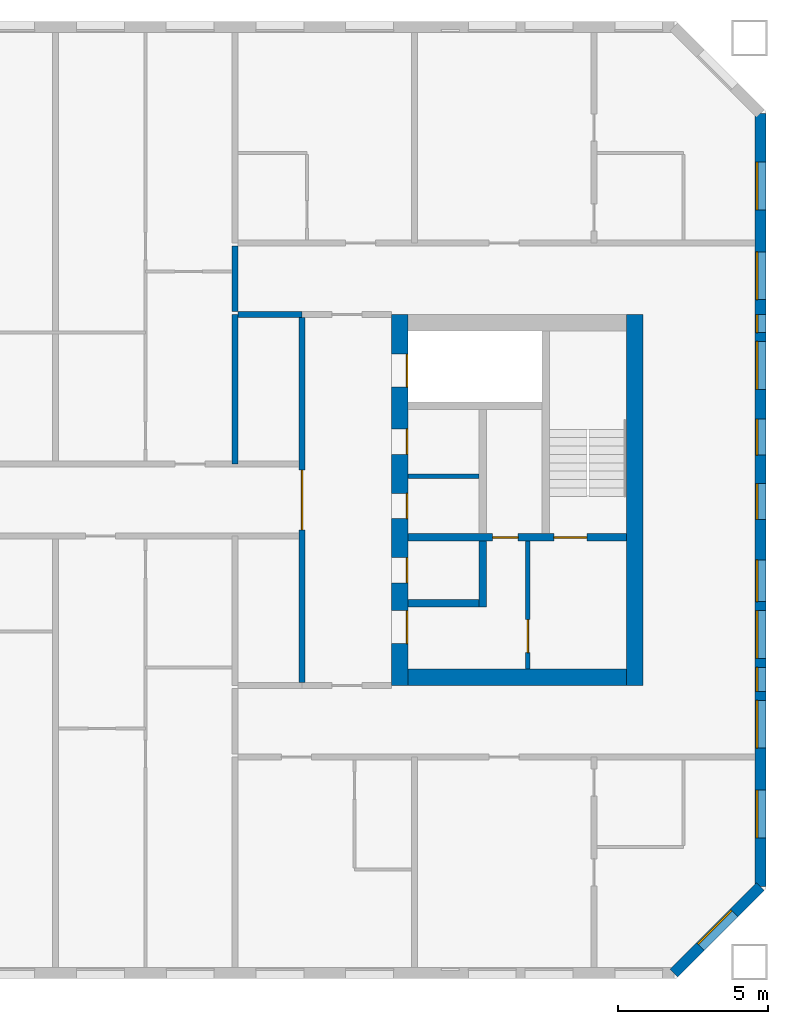
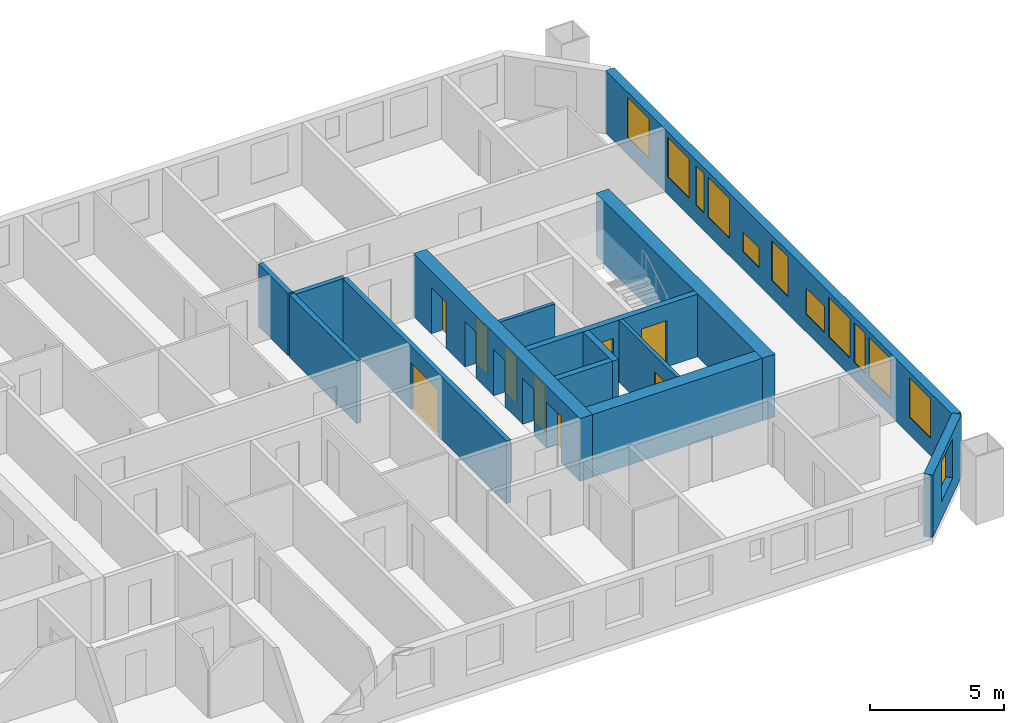
# One storey, part 13 of 16: 14 walls, 12 windows, 9 doors, 21 openings.
"""IFC4 building model written with IfcOpenShell, lengths in metres."""

from ifc_helpers import new_model, si_unit, direction, frame, frame_2d, origin, place, context, subcontext, project, spatial, rectangle, extrude, material, layer, layer_set, type_object, element, fill, save


model = new_model("IFC4")

# Units and contexts
model_context = context("Model", 3, precision=1e-05, world=origin(), true_north=direction((0.0, 1.0)))
body_context = subcontext(model_context, "Body", "Model", "MODEL_VIEW")
ifc_project = project(units=[si_unit("LENGTHUNIT", "METRE"), si_unit("AREAUNIT", "SQUARE_METRE"), si_unit("VOLUMEUNIT", "CUBIC_METRE"), si_unit("PLANEANGLEUNIT", "RADIAN"), si_unit("MASSUNIT", "GRAM", prefix="KILO")], contexts=[model_context])

# Site, building, storey
site_placement = place(None, origin())
site = spatial("IfcSite", under=ifc_project, at=site_placement, CompositionType="ELEMENT")
building_placement = place(site_placement, origin())
building = spatial("IfcBuilding", under=site, at=building_placement, Name="Tuart Gate Housing", CompositionType="ELEMENT")
storey_placement = place(building_placement, frame((0.0, 0.0, 129.89990234375)))
storey = spatial("IfcBuildingStorey", under=building, at=storey_placement, Name="L36", CompositionType="ELEMENT", Elevation=129.89990234375)

# Wall, opening, window
ifc_material_1 = material(Name="Brick", Category="masonry")
ifc_layer_1 = layer(ifc_material_1, 0.360107421875)
ifc_layer_set_1 = layer_set([ifc_layer_1], Name="Brick pier and spandrel wall 360")
wall_type_1 = type_object("IfcWallType", Name="Brick pier and spandrel wall 360", PredefinedType="STANDARD", material=ifc_layer_set_1)
wall_1_placement = place(storey_placement, frame((169.67529296875, 54.179931640625, 0.0), z_axis=(0.0, 0.0, 1.0), x_axis=(0.707106781187, 0.707106781187, 0.0)))
wall_1 = element("IfcWall", 1, at=wall_1_placement, inside=storey, type_object=wall_type_1, Name="External wall B-SE L36", PredefinedType="STANDARD", context=body_context, shape_type="SweptSolid", body=[
    extrude(rectangle(XDim=4.09375, YDim=0.360107421875, at=frame_2d((2.046875, 0.0))), origin(), (0.0, 0.0, 1.0), 2.85009765625),
])
opening_1_placement = place(wall_1_placement, frame((1.2470703125, 0.0, 0.800048828125)))
opening_1 = element("IfcOpeningElement", 2, at=opening_1_placement, cuts=wall_1, Name="Opening W1", PredefinedType="OPENING", context=body_context, shape_type="SweptSolid", body=[
    extrude(rectangle(XDim=1.60009765625, YDim=1.800048828125, at=frame_2d((0.800048828125, 0.89990234375))), frame((0.0, 0.18994140625, 0.0), z_axis=(0.0, -1.0, 0.0), x_axis=(1.0, 0.0, 0.0)), (0.0, 0.0, 1.0), 0.380126953125),
])
ifc_material_2 = material(Name="Aluminium frame with clear glass", Category="aluminium")
window_type_1 = type_object("IfcWindowType", Name="Punched window 1600 x 1800", PartitioningType="SINGLE_PANEL", PredefinedType="WINDOW", material=ifc_material_2)
window_1_placement = place(opening_1_placement, origin())
window_1 = element("IfcWindow", 3, at=window_1_placement, inside=storey, type_object=window_type_1, Name="Window W1", OverallHeight=1.800048828125, OverallWidth=1.60009765625, PartitioningType="SINGLE_PANEL", PredefinedType="WINDOW", context=body_context, shape_type="SweptSolid", body=[
    extrude(rectangle(XDim=1.60009765625, YDim=1.800048828125, at=frame_2d((0.800048828125, 0.89990234375))), frame((0.0, 0.150146484375, 0.0), z_axis=(0.0, -1.0, 0.0), x_axis=(1.0, 0.0, 0.0)), (0.0, 0.0, 1.0), 0.06005859375),
])
fill(opening_1, window_1)

# Wall, openings, windows
wall_2_placement = place(storey_placement, frame((172.570068359375, 57.07470703125, 0.0), z_axis=(0.0, 0.0, 1.0), x_axis=(0.0, 1.0, 0.0)))
wall_2 = element("IfcWall", 4, at=wall_2_placement, inside=storey, type_object=wall_type_1, Name="External wall B-E L36", PredefinedType="STANDARD", context=body_context, shape_type="SweptSolid", body=[
    extrude(rectangle(XDim=25.850830078125, YDim=0.360107421875, at=frame_2d((12.92529296875, 0.0))), origin(), (0.0, 0.0, 1.0), 2.85009765625),
])
opening_2_placement = place(wall_2_placement, frame((1.62548828125, 0.0, 0.800048828125)))
opening_2 = element("IfcOpeningElement", 5, at=opening_2_placement, cuts=wall_2, Name="Opening W1", PredefinedType="OPENING", context=body_context, shape_type="SweptSolid", body=[
    extrude(rectangle(XDim=1.60009765625, YDim=1.800048828125, at=frame_2d((0.800048828125, 0.89990234375))), frame((0.0, 0.18994140625, 0.0), z_axis=(0.0, -1.0, 0.0), x_axis=(1.0, 0.0, 0.0)), (0.0, 0.0, 1.0), 0.380126953125),
])
opening_3_placement = place(wall_2_placement, frame((4.62548828125, 0.0, 0.800048828125)))
opening_3 = element("IfcOpeningElement", 6, at=opening_3_placement, cuts=wall_2, Name="Opening W1", PredefinedType="OPENING", context=body_context, shape_type="SweptSolid", body=[
    extrude(rectangle(XDim=1.60009765625, YDim=1.800048828125, at=frame_2d((0.800048828125, 0.89990234375))), frame((0.0, 0.18994140625, 0.0), z_axis=(0.0, -1.0, 0.0), x_axis=(1.0, 0.0, 0.0)), (0.0, 0.0, 1.0), 0.380126953125),
])
opening_4_placement = place(wall_2_placement, frame((7.62548828125, 0.0, 0.800048828125)))
opening_4 = element("IfcOpeningElement", 7, at=opening_4_placement, cuts=wall_2, Name="Opening W1", PredefinedType="OPENING", context=body_context, shape_type="SweptSolid", body=[
    extrude(rectangle(XDim=1.60009765625, YDim=1.800048828125, at=frame_2d((0.800048828125, 0.89990234375))), frame((0.0, 0.18994140625, 0.0), z_axis=(0.0, -1.0, 0.0), x_axis=(1.0, 0.0, 0.0)), (0.0, 0.0, 1.0), 0.380126953125),
])
opening_5_placement = place(wall_2_placement, frame((6.525390625, 0.0, 0.800048828125)))
opening_5 = element("IfcOpeningElement", 8, at=opening_5_placement, cuts=wall_2, Name="Opening W1D", PredefinedType="OPENING", context=body_context, shape_type="SweptSolid", body=[
    extrude(rectangle(XDim=0.800048828125, YDim=1.800048828125, at=frame_2d((0.39990234375, 0.89990234375))), frame((0.0, 0.18994140625, 0.0), z_axis=(0.0, -1.0, 0.0), x_axis=(1.0, 0.0, 0.0)), (0.0, 0.0, 1.0), 0.380126953125),
])
opening_6_placement = place(wall_2_placement, frame((9.525390625, 0.0, 0.800048828125)))
opening_6 = element("IfcOpeningElement", 9, at=opening_6_placement, cuts=wall_2, Name="Opening W1M", PredefinedType="OPENING", context=body_context, shape_type="SweptSolid", body=[
    extrude(rectangle(XDim=1.39990234375, YDim=1.199951171875, at=frame_2d((0.699951171875, 0.60009765625))), frame((0.0, 0.18994140625, 0.0), z_axis=(0.0, -1.0, 0.0), x_axis=(1.0, 0.0, 0.0)), (0.0, 0.0, 1.0), 0.380126953125),
])
opening_7_placement = place(wall_2_placement, frame((16.62548828125, 0.0, 0.800048828125)))
opening_7 = element("IfcOpeningElement", 10, at=opening_7_placement, cuts=wall_2, Name="Opening W1", PredefinedType="OPENING", context=body_context, shape_type="SweptSolid", body=[
    extrude(rectangle(XDim=1.60009765625, YDim=1.800048828125, at=frame_2d((0.800048828125, 0.89990234375))), frame((0.0, 0.18994140625, 0.0), z_axis=(0.0, -1.0, 0.0), x_axis=(1.0, 0.0, 0.0)), (0.0, 0.0, 1.0), 0.380126953125),
])
opening_8_placement = place(wall_2_placement, frame((19.62548828125, 0.0, 0.800048828125)))
opening_8 = element("IfcOpeningElement", 11, at=opening_8_placement, cuts=wall_2, Name="Opening W1", PredefinedType="OPENING", context=body_context, shape_type="SweptSolid", body=[
    extrude(rectangle(XDim=1.60009765625, YDim=1.800048828125, at=frame_2d((0.800048828125, 0.89990234375))), frame((0.0, 0.18994140625, 0.0), z_axis=(0.0, -1.0, 0.0), x_axis=(1.0, 0.0, 0.0)), (0.0, 0.0, 1.0), 0.380126953125),
])
opening_9_placement = place(wall_2_placement, frame((22.62548828125, 0.0, 0.800048828125)))
opening_9 = element("IfcOpeningElement", 12, at=opening_9_placement, cuts=wall_2, Name="Opening W1", PredefinedType="OPENING", context=body_context, shape_type="SweptSolid", body=[
    extrude(rectangle(XDim=1.60009765625, YDim=1.800048828125, at=frame_2d((0.800048828125, 0.89990234375))), frame((0.0, 0.18994140625, 0.0), z_axis=(0.0, -1.0, 0.0), x_axis=(1.0, 0.0, 0.0)), (0.0, 0.0, 1.0), 0.380126953125),
])
opening_10_placement = place(wall_2_placement, frame((12.275390625, 0.0, 0.800048828125)))
opening_10 = element("IfcOpeningElement", 13, at=opening_10_placement, cuts=wall_2, Name="Opening W1B", PredefinedType="OPENING", context=body_context, shape_type="SweptSolid", body=[
    extrude(rectangle(XDim=1.199951171875, YDim=1.800048828125, at=frame_2d((0.60009765625, 0.89990234375))), frame((0.0, 0.18994140625, 0.0), z_axis=(0.0, -1.0, 0.0), x_axis=(1.0, 0.0, 0.0)), (0.0, 0.0, 1.0), 0.380126953125),
])
opening_11_placement = place(wall_2_placement, frame((14.42529296875, 0.0, 0.800048828125)))
opening_11 = element("IfcOpeningElement", 14, at=opening_11_placement, cuts=wall_2, Name="Opening W1T", PredefinedType="OPENING", context=body_context, shape_type="SweptSolid", body=[
    extrude(rectangle(XDim=1.199951171875, YDim=0.89990234375, at=frame_2d((0.60009765625, 0.449951171875))), frame((0.0, 0.18994140625, 0.0), z_axis=(0.0, -1.0, 0.0), x_axis=(1.0, 0.0, 0.0)), (0.0, 0.0, 1.0), 0.380126953125),
])
opening_12_placement = place(wall_2_placement, frame((18.525390625, 0.0, 0.800048828125)))
opening_12 = element("IfcOpeningElement", 15, at=opening_12_placement, cuts=wall_2, Name="Opening W1E", PredefinedType="OPENING", context=body_context, shape_type="SweptSolid", body=[
    extrude(rectangle(XDim=0.60009765625, YDim=1.800048828125, at=frame_2d((0.300048828125, 0.89990234375))), frame((0.0, 0.18994140625, 0.0), z_axis=(0.0, -1.0, 0.0), x_axis=(1.0, 0.0, 0.0)), (0.0, 0.0, 1.0), 0.380126953125),
])
ifc_material_3 = material(Name="Aluminium frame with clear glass", Category="aluminium")
window_type_2 = type_object("IfcWindowType", Name="Punched window 1200 x 1800", PartitioningType="SINGLE_PANEL", PredefinedType="WINDOW", material=ifc_material_3)
window_2_placement = place(opening_10_placement, origin())
window_2 = element("IfcWindow", 16, at=window_2_placement, inside=storey, type_object=window_type_2, Name="Window W1B", OverallHeight=1.800048828125, OverallWidth=1.199951171875, PartitioningType="SINGLE_PANEL", PredefinedType="WINDOW", context=body_context, shape_type="SweptSolid", body=[
    extrude(rectangle(XDim=1.199951171875, YDim=1.800048828125, at=frame_2d((0.60009765625, 0.89990234375))), frame((0.0, 0.150146484375, 0.0), z_axis=(0.0, -1.0, 0.0), x_axis=(1.0, 0.0, 0.0)), (0.0, 0.0, 1.0), 0.06005859375),
])
fill(opening_10, window_2)
ifc_material_4 = material(Name="Aluminium frame with clear glass", Category="aluminium")
window_type_3 = type_object("IfcWindowType", Name="Punched window 1200 x 900", PartitioningType="SINGLE_PANEL", PredefinedType="WINDOW", material=ifc_material_4)
window_3_placement = place(opening_11_placement, origin())
window_3 = element("IfcWindow", 17, at=window_3_placement, inside=storey, type_object=window_type_3, Name="Window W1T", OverallHeight=0.89990234375, OverallWidth=1.199951171875, PartitioningType="SINGLE_PANEL", PredefinedType="WINDOW", context=body_context, shape_type="SweptSolid", body=[
    extrude(rectangle(XDim=1.199951171875, YDim=0.89990234375, at=frame_2d((0.60009765625, 0.449951171875))), frame((0.0, 0.150146484375, 0.0), z_axis=(0.0, -1.0, 0.0), x_axis=(1.0, 0.0, 0.0)), (0.0, 0.0, 1.0), 0.06005859375),
])
fill(opening_11, window_3)
ifc_material_5 = material(Name="Aluminium frame with clear glass", Category="aluminium")
window_type_4 = type_object("IfcWindowType", Name="Punched window 1400 x 1200", PartitioningType="SINGLE_PANEL", PredefinedType="WINDOW", material=ifc_material_5)
window_4_placement = place(opening_6_placement, origin())
window_4 = element("IfcWindow", 18, at=window_4_placement, inside=storey, type_object=window_type_4, Name="Window W1M", OverallHeight=1.199951171875, OverallWidth=1.39990234375, PartitioningType="SINGLE_PANEL", PredefinedType="WINDOW", context=body_context, shape_type="SweptSolid", body=[
    extrude(rectangle(XDim=1.39990234375, YDim=1.199951171875, at=frame_2d((0.699951171875, 0.60009765625))), frame((0.0, 0.150146484375, 0.0), z_axis=(0.0, -1.0, 0.0), x_axis=(1.0, 0.0, 0.0)), (0.0, 0.0, 1.0), 0.06005859375),
])
fill(opening_6, window_4)
window_5_placement = place(opening_2_placement, origin())
window_5 = element("IfcWindow", 19, at=window_5_placement, inside=storey, type_object=window_type_1, Name="Window W1", OverallHeight=1.800048828125, OverallWidth=1.60009765625, PartitioningType="SINGLE_PANEL", PredefinedType="WINDOW", context=body_context, shape_type="SweptSolid", body=[
    extrude(rectangle(XDim=1.60009765625, YDim=1.800048828125, at=frame_2d((0.800048828125, 0.89990234375))), frame((0.0, 0.150146484375, 0.0), z_axis=(0.0, -1.0, 0.0), x_axis=(1.0, 0.0, 0.0)), (0.0, 0.0, 1.0), 0.06005859375),
])
fill(opening_2, window_5)
window_6_placement = place(opening_3_placement, origin())
window_6 = element("IfcWindow", 20, at=window_6_placement, inside=storey, type_object=window_type_1, Name="Window W1", OverallHeight=1.800048828125, OverallWidth=1.60009765625, PartitioningType="SINGLE_PANEL", PredefinedType="WINDOW", context=body_context, shape_type="SweptSolid", body=[
    extrude(rectangle(XDim=1.60009765625, YDim=1.800048828125, at=frame_2d((0.800048828125, 0.89990234375))), frame((0.0, 0.150146484375, 0.0), z_axis=(0.0, -1.0, 0.0), x_axis=(1.0, 0.0, 0.0)), (0.0, 0.0, 1.0), 0.06005859375),
])
fill(opening_3, window_6)
window_7_placement = place(opening_4_placement, origin())
window_7 = element("IfcWindow", 21, at=window_7_placement, inside=storey, type_object=window_type_1, Name="Window W1", OverallHeight=1.800048828125, OverallWidth=1.60009765625, PartitioningType="SINGLE_PANEL", PredefinedType="WINDOW", context=body_context, shape_type="SweptSolid", body=[
    extrude(rectangle(XDim=1.60009765625, YDim=1.800048828125, at=frame_2d((0.800048828125, 0.89990234375))), frame((0.0, 0.150146484375, 0.0), z_axis=(0.0, -1.0, 0.0), x_axis=(1.0, 0.0, 0.0)), (0.0, 0.0, 1.0), 0.06005859375),
])
fill(opening_4, window_7)
window_8_placement = place(opening_7_placement, origin())
window_8 = element("IfcWindow", 22, at=window_8_placement, inside=storey, type_object=window_type_1, Name="Window W1", OverallHeight=1.800048828125, OverallWidth=1.60009765625, PartitioningType="SINGLE_PANEL", PredefinedType="WINDOW", context=body_context, shape_type="SweptSolid", body=[
    extrude(rectangle(XDim=1.60009765625, YDim=1.800048828125, at=frame_2d((0.800048828125, 0.89990234375))), frame((0.0, 0.150146484375, 0.0), z_axis=(0.0, -1.0, 0.0), x_axis=(1.0, 0.0, 0.0)), (0.0, 0.0, 1.0), 0.06005859375),
])
fill(opening_7, window_8)
window_9_placement = place(opening_8_placement, origin())
window_9 = element("IfcWindow", 23, at=window_9_placement, inside=storey, type_object=window_type_1, Name="Window W1", OverallHeight=1.800048828125, OverallWidth=1.60009765625, PartitioningType="SINGLE_PANEL", PredefinedType="WINDOW", context=body_context, shape_type="SweptSolid", body=[
    extrude(rectangle(XDim=1.60009765625, YDim=1.800048828125, at=frame_2d((0.800048828125, 0.89990234375))), frame((0.0, 0.150146484375, 0.0), z_axis=(0.0, -1.0, 0.0), x_axis=(1.0, 0.0, 0.0)), (0.0, 0.0, 1.0), 0.06005859375),
])
fill(opening_8, window_9)
window_10_placement = place(opening_9_placement, origin())
window_10 = element("IfcWindow", 24, at=window_10_placement, inside=storey, type_object=window_type_1, Name="Window W1", OverallHeight=1.800048828125, OverallWidth=1.60009765625, PartitioningType="SINGLE_PANEL", PredefinedType="WINDOW", context=body_context, shape_type="SweptSolid", body=[
    extrude(rectangle(XDim=1.60009765625, YDim=1.800048828125, at=frame_2d((0.800048828125, 0.89990234375))), frame((0.0, 0.150146484375, 0.0), z_axis=(0.0, -1.0, 0.0), x_axis=(1.0, 0.0, 0.0)), (0.0, 0.0, 1.0), 0.06005859375),
])
fill(opening_9, window_10)
ifc_material_6 = material(Name="Aluminium frame with clear glass", Category="aluminium")
window_type_5 = type_object("IfcWindowType", Name="Punched window 600 x 1800", PartitioningType="SINGLE_PANEL", PredefinedType="WINDOW", material=ifc_material_6)
window_11_placement = place(opening_12_placement, origin())
window_11 = element("IfcWindow", 25, at=window_11_placement, inside=storey, type_object=window_type_5, Name="Window W1E", OverallHeight=1.800048828125, OverallWidth=0.60009765625, PartitioningType="SINGLE_PANEL", PredefinedType="WINDOW", context=body_context, shape_type="SweptSolid", body=[
    extrude(rectangle(XDim=0.60009765625, YDim=1.800048828125, at=frame_2d((0.300048828125, 0.89990234375))), frame((0.0, 0.150146484375, 0.0), z_axis=(0.0, -1.0, 0.0), x_axis=(1.0, 0.0, 0.0)), (0.0, 0.0, 1.0), 0.06005859375),
])
fill(opening_12, window_11)
ifc_material_7 = material(Name="Aluminium frame with clear glass", Category="aluminium")
window_type_6 = type_object("IfcWindowType", Name="Punched window 800 x 1800", PartitioningType="SINGLE_PANEL", PredefinedType="WINDOW", material=ifc_material_7)
window_12_placement = place(opening_5_placement, origin())
window_12 = element("IfcWindow", 26, at=window_12_placement, inside=storey, type_object=window_type_6, Name="Window W1D", OverallHeight=1.800048828125, OverallWidth=0.800048828125, PartitioningType="SINGLE_PANEL", PredefinedType="WINDOW", context=body_context, shape_type="SweptSolid", body=[
    extrude(rectangle(XDim=0.800048828125, YDim=1.800048828125, at=frame_2d((0.39990234375, 0.89990234375))), frame((0.0, 0.150146484375, 0.0), z_axis=(0.0, -1.0, 0.0), x_axis=(1.0, 0.0, 0.0)), (0.0, 0.0, 1.0), 0.06005859375),
])
fill(opening_5, window_12)

# Wall
ifc_material_8 = material(Name="Plasterboard partition")
ifc_layer_2 = layer(ifc_material_8, 0.14990234375)
ifc_layer_set_2 = layer_set([ifc_layer_2], Name="Core partition 150")
wall_type_2 = type_object("IfcWallType", Name="Core partition 150", PredefinedType="PARTITIONING", material=ifc_layer_set_2)
wall_3_placement = place(storey_placement, frame((160.7900390625, 70.800048828125, 0.0), z_axis=(0.0, 0.0, 1.0), x_axis=(1.0, 0.0, 0.0)))
element("IfcWall", 27, at=wall_3_placement, inside=storey, type_object=wall_type_2, Name="Core partition BK.2", PredefinedType="PARTITIONING", context=body_context, shape_type="SweptSolid", body=[
    extrude(rectangle(XDim=2.375, YDim=0.14990234375, at=frame_2d((1.1875, 0.0))), origin(), (0.0, 0.0, 1.0), 2.85009765625),
])

# Wall, opening, door
wall_4_placement = place(storey_placement, frame((164.7900390625, 68.625, 0.0), z_axis=(0.0, 0.0, 1.0), x_axis=(0.0, -1.0, 0.0)))
wall_4 = element("IfcWall", 28, at=wall_4_placement, inside=storey, type_object=wall_type_2, Name="Core partition BK.7", PredefinedType="PARTITIONING", context=body_context, shape_type="SweptSolid", body=[
    extrude(rectangle(XDim=4.27490234375, YDim=0.14990234375, at=frame_2d((2.137451171875, 0.0))), origin(), (0.0, 0.0, 1.0), 2.85009765625),
])
opening_13_placement = place(wall_4_placement, frame((2.625, 0.0, 0.0)))
opening_13 = element("IfcOpeningElement", 29, at=opening_13_placement, cuts=wall_4, Name="Opening D1384", PredefinedType="OPENING", context=body_context, shape_type="SweptSolid", body=[
    extrude(rectangle(XDim=1.10009765625, YDim=2.10009765625, at=frame_2d((0.550048828125, 1.050048828125))), frame((0.0, 0.0849609375, 0.0), z_axis=(0.0, -1.0, 0.0), x_axis=(1.0, 0.0, 0.0)), (0.0, 0.0, 1.0), 0.169921875),
])
ifc_material_9 = material(Name="Steel fire door", Category="steel")
door_type_1 = type_object("IfcDoorType", Name="Lobby door 1100 x 2100 RH", OperationType="SINGLE_SWING_RIGHT", PredefinedType="DOOR", material=ifc_material_9)
door_1_placement = place(opening_13_placement, origin())
door_1 = element("IfcDoor", 30, at=door_1_placement, inside=storey, type_object=door_type_1, Name="Smoke lobby door BK.KD", OperationType="SINGLE_SWING_RIGHT", OverallHeight=2.10009765625, OverallWidth=1.10009765625, PredefinedType="DOOR", context=body_context, shape_type="SweptSolid", body=[
    extrude(rectangle(XDim=1.10009765625, YDim=2.10009765625, at=frame_2d((0.550048828125, 1.050048828125))), frame((0.0, 0.02490234375, 0.0), z_axis=(0.0, -1.0, 0.0), x_axis=(1.0, 0.0, 0.0)), (0.0, 0.0, 1.0), 0.050048828125),
])
fill(opening_13, door_1)

# Wall, openings, doors
ifc_material_10 = material(Name="Concrete C50", Category="concrete")
ifc_layer_3 = layer(ifc_material_10, 0.25)
ifc_layer_set_3 = layer_set([ifc_layer_3], Name="Core wall 250 C50")
wall_type_3 = type_object("IfcWallType", Name="Core wall 250 C50", PredefinedType="SHEAR", material=ifc_layer_set_3)
wall_5_placement = place(storey_placement, frame((160.7900390625, 68.75, 0.0), z_axis=(0.0, 0.0, 1.0), x_axis=(1.0, 0.0, 0.0)))
wall_5 = element("IfcWall", 31, at=wall_5_placement, inside=storey, type_object=wall_type_3, Name="Core wall BK.3", PredefinedType="SHEAR", context=body_context, shape_type="SweptSolid", body=[
    extrude(rectangle(XDim=7.300048828125, YDim=0.25, at=frame_2d((3.64990234375, 0.0))), origin(), (0.0, 0.0, 1.0), 2.85009765625),
])
opening_14_placement = place(wall_5_placement, frame((4.875, 0.0, 0.0)))
opening_14 = element("IfcOpeningElement", 32, at=opening_14_placement, cuts=wall_5, Name="Opening D1383", PredefinedType="OPENING", context=body_context, shape_type="SweptSolid", body=[
    extrude(rectangle(XDim=1.10009765625, YDim=2.10009765625, at=frame_2d((0.550048828125, 1.050048828125))), frame((0.0, 0.135009765625, 0.0), z_axis=(0.0, -1.0, 0.0), x_axis=(1.0, 0.0, 0.0)), (0.0, 0.0, 1.0), 0.27001953125),
])
opening_15_placement = place(wall_5_placement, frame((2.824951171875, 0.0, 0.0)))
opening_15 = element("IfcOpeningElement", 33, at=opening_15_placement, cuts=wall_5, Name="Opening D1382", PredefinedType="OPENING", context=body_context, shape_type="SweptSolid", body=[
    extrude(rectangle(XDim=0.85009765625, YDim=2.10009765625, at=frame_2d((0.425048828125, 1.050048828125))), frame((0.0, 0.135009765625, 0.0), z_axis=(0.0, -1.0, 0.0), x_axis=(1.0, 0.0, 0.0)), (0.0, 0.0, 1.0), 0.27001953125),
])
ifc_material_11 = material(Name="Steel fire door", Category="steel")
door_type_2 = type_object("IfcDoorType", Name="Riser door 850 x 2100", OperationType="SINGLE_SWING_LEFT", PredefinedType="DOOR", material=ifc_material_11)
door_2_placement = place(opening_15_placement, origin())
door_2 = element("IfcDoor", 34, at=door_2_placement, inside=storey, type_object=door_type_2, Name="Service room door BK.W1", OperationType="SINGLE_SWING_LEFT", OverallHeight=2.10009765625, OverallWidth=0.85009765625, PredefinedType="DOOR", context=body_context, shape_type="SweptSolid", body=[
    extrude(rectangle(XDim=0.85009765625, YDim=2.10009765625, at=frame_2d((0.425048828125, 1.050048828125))), frame((0.0, 0.02490234375, 0.0), z_axis=(0.0, -1.0, 0.0), x_axis=(1.0, 0.0, 0.0)), (0.0, 0.0, 1.0), 0.050048828125),
])
fill(opening_15, door_2)
ifc_material_12 = material(Name="Steel fire door", Category="steel")
door_type_3 = type_object("IfcDoorType", Name="Stair door 1100 x 2100", OperationType="SINGLE_SWING_LEFT", PredefinedType="DOOR", material=ifc_material_12)
door_3_placement = place(opening_14_placement, origin())
door_3 = element("IfcDoor", 35, at=door_3_placement, inside=storey, type_object=door_type_3, Name="Stair door BK.SD", OperationType="SINGLE_SWING_LEFT", OverallHeight=2.10009765625, OverallWidth=1.10009765625, PredefinedType="DOOR", context=body_context, shape_type="SweptSolid", body=[
    extrude(rectangle(XDim=1.10009765625, YDim=2.10009765625, at=frame_2d((0.550048828125, 1.050048828125))), frame((0.0, 0.02490234375, 0.0), z_axis=(0.0, -1.0, 0.0), x_axis=(1.0, 0.0, 0.0)), (0.0, 0.0, 1.0), 0.050048828125),
])
fill(opening_14, door_3)

# Walls
wall_6_placement = place(storey_placement, frame((160.7900390625, 66.550048828125, 0.0), z_axis=(0.0, 0.0, 1.0), x_axis=(1.0, 0.0, 0.0)))
element("IfcWall", 36, at=wall_6_placement, inside=storey, type_object=wall_type_3, Name="Core wall BK.4", PredefinedType="SHEAR", context=body_context, shape_type="SweptSolid", body=[
    extrude(rectangle(XDim=2.375, YDim=0.25, at=frame_2d((1.1875, 0.0))), origin(), (0.0, 0.0, 1.0), 2.85009765625),
])
wall_7_placement = place(storey_placement, frame((163.2900390625, 68.625, 0.0), z_axis=(0.0, 0.0, 1.0), x_axis=(0.0, -1.0, 0.0)))
element("IfcWall", 37, at=wall_7_placement, inside=storey, type_object=wall_type_3, Name="Core wall BK.6", PredefinedType="SHEAR", context=body_context, shape_type="SweptSolid", body=[
    extrude(rectangle(XDim=2.199951171875, YDim=0.25, at=frame_2d((1.10009765625, 0.0))), origin(), (0.0, 0.0, 1.0), 2.85009765625),
])

# Wall, openings, doors
ifc_material_13 = material(Name="Concrete C50", Category="concrete")
ifc_layer_4 = layer(ifc_material_13, 0.550048828125)
ifc_layer_set_4 = layer_set([ifc_layer_4], Name="Core wall 550 C50")
wall_type_4 = type_object("IfcWallType", Name="Core wall 550 C50", PredefinedType="SHEAR", material=ifc_layer_set_4)
wall_8_placement = place(storey_placement, frame((160.514892578125, 76.199951171875, 0.0), z_axis=(0.0, 0.0, 1.0), x_axis=(0.0, -1.0, 0.0)))
wall_8 = element("IfcWall", 38, at=wall_8_placement, inside=storey, type_object=wall_type_4, Name="Core wall BK front", PredefinedType="SHEAR", context=body_context, shape_type="SweptSolid", body=[
    extrude(rectangle(XDim=12.39990234375, YDim=0.550048828125, at=frame_2d((6.199951171875, 0.0))), origin(), (0.0, 0.0, 1.0), 2.85009765625),
])
opening_16_placement = place(wall_8_placement, frame((1.324951171875, 0.0, 0.0)))
opening_16 = element("IfcOpeningElement", 39, at=opening_16_placement, cuts=wall_8, Name="Opening LD-FB2", PredefinedType="OPENING", context=body_context, shape_type="SweptSolid", body=[
    extrude(rectangle(XDim=1.10009765625, YDim=2.10009765625, at=frame_2d((0.550048828125, 1.050048828125))), frame((0.0, 0.284912109375, 0.0), z_axis=(0.0, -1.0, 0.0), x_axis=(1.0, 0.0, 0.0)), (0.0, 0.0, 1.0), 0.570068359375),
])
opening_17_placement = place(wall_8_placement, frame((3.824951171875, 0.0, 0.0)))
opening_17 = element("IfcOpeningElement", 40, at=opening_17_placement, cuts=wall_8, Name="Opening D1377", PredefinedType="OPENING", context=body_context, shape_type="SweptSolid", body=[
    extrude(rectangle(XDim=0.85009765625, YDim=2.10009765625, at=frame_2d((0.425048828125, 1.050048828125))), frame((0.0, 0.284912109375, 0.0), z_axis=(0.0, -1.0, 0.0), x_axis=(1.0, 0.0, 0.0)), (0.0, 0.0, 1.0), 0.570068359375),
])
opening_18_placement = place(wall_8_placement, frame((5.97509765625, 0.0, 0.0)))
opening_18 = element("IfcOpeningElement", 41, at=opening_18_placement, cuts=wall_8, Name="Opening D1378", PredefinedType="OPENING", context=body_context, shape_type="SweptSolid", body=[
    extrude(rectangle(XDim=0.85009765625, YDim=2.10009765625, at=frame_2d((0.425048828125, 1.050048828125))), frame((0.0, 0.284912109375, 0.0), z_axis=(0.0, -1.0, 0.0), x_axis=(1.0, 0.0, 0.0)), (0.0, 0.0, 1.0), 0.570068359375),
])
opening_19_placement = place(wall_8_placement, frame((9.89990234375, 0.0, 0.0)))
opening_19 = element("IfcOpeningElement", 42, at=opening_19_placement, cuts=wall_8, Name="Opening D1376", PredefinedType="OPENING", context=body_context, shape_type="SweptSolid", body=[
    extrude(rectangle(XDim=1.10009765625, YDim=2.10009765625, at=frame_2d((0.550048828125, 1.050048828125))), frame((0.0, 0.284912109375, 0.0), z_axis=(0.0, -1.0, 0.0), x_axis=(1.0, 0.0, 0.0)), (0.0, 0.0, 1.0), 0.570068359375),
])
opening_20_placement = place(wall_8_placement, frame((8.125, 0.0, 0.0)))
opening_20 = element("IfcOpeningElement", 43, at=opening_20_placement, cuts=wall_8, Name="Opening D1379", PredefinedType="OPENING", context=body_context, shape_type="SweptSolid", body=[
    extrude(rectangle(XDim=0.85009765625, YDim=2.10009765625, at=frame_2d((0.425048828125, 1.050048828125))), frame((0.0, 0.284912109375, 0.0), z_axis=(0.0, -1.0, 0.0), x_axis=(1.0, 0.0, 0.0)), (0.0, 0.0, 1.0), 0.570068359375),
])
ifc_material_14 = material(Name="Stainless steel", Category="steel")
door_type_4 = type_object("IfcDoorType", Name="Landing door 1100 x 2100", OperationType="DOUBLE_DOOR_SLIDING", PredefinedType="DOOR", material=ifc_material_14)
door_4_placement = place(opening_16_placement, origin())
door_4 = element("IfcDoor", 44, at=door_4_placement, inside=storey, type_object=door_type_4, Name="Lift landing door FB2", OperationType="DOUBLE_DOOR_SLIDING", OverallHeight=2.10009765625, OverallWidth=1.10009765625, PredefinedType="DOOR", context=body_context, shape_type="SweptSolid", body=[
    extrude(rectangle(XDim=1.10009765625, YDim=2.10009765625, at=frame_2d((0.550048828125, 1.050048828125))), frame((0.0, 0.26025390625, 0.0), z_axis=(0.0, -1.0, 0.0), x_axis=(1.0, 0.0, 0.0)), (0.0, 0.0, 1.0), 0.050048828125),
])
fill(opening_16, door_4)
ifc_material_15 = material(Name="Steel fire door", Category="steel")
door_type_5 = type_object("IfcDoorType", Name="Lobby door 1100 x 2100", OperationType="SINGLE_SWING_LEFT", PredefinedType="DOOR", material=ifc_material_15)
door_5_placement = place(opening_19_placement, origin())
door_5 = element("IfcDoor", 45, at=door_5_placement, inside=storey, type_object=door_type_5, Name="Lobby entry door BK.EN", OperationType="SINGLE_SWING_LEFT", OverallHeight=2.10009765625, OverallWidth=1.10009765625, PredefinedType="DOOR", context=body_context, shape_type="SweptSolid", body=[
    extrude(rectangle(XDim=1.10009765625, YDim=2.10009765625, at=frame_2d((0.550048828125, 1.050048828125))), frame((0.0, 0.26025390625, 0.0), z_axis=(0.0, -1.0, 0.0), x_axis=(1.0, 0.0, 0.0)), (0.0, 0.0, 1.0), 0.050048828125),
])
fill(opening_19, door_5)
ifc_material_16 = material(Name="Steel fire door", Category="steel")
door_type_6 = type_object("IfcDoorType", Name="Service door 850 x 2100", OperationType="SINGLE_SWING_LEFT", PredefinedType="DOOR", material=ifc_material_16)
door_6_placement = place(opening_17_placement, origin())
door_6 = element("IfcDoor", 46, at=door_6_placement, inside=storey, type_object=door_type_6, Name="Service room door BK.FR1", OperationType="SINGLE_SWING_LEFT", OverallHeight=2.10009765625, OverallWidth=0.85009765625, PredefinedType="DOOR", context=body_context, shape_type="SweptSolid", body=[
    extrude(rectangle(XDim=0.85009765625, YDim=2.10009765625, at=frame_2d((0.425048828125, 1.050048828125))), frame((0.0, 0.26025390625, 0.0), z_axis=(0.0, -1.0, 0.0), x_axis=(1.0, 0.0, 0.0)), (0.0, 0.0, 1.0), 0.050048828125),
])
fill(opening_17, door_6)
door_7_placement = place(opening_18_placement, origin())
door_7 = element("IfcDoor", 47, at=door_7_placement, inside=storey, type_object=door_type_6, Name="Service room door BK.FR2", OperationType="SINGLE_SWING_LEFT", OverallHeight=2.10009765625, OverallWidth=0.85009765625, PredefinedType="DOOR", context=body_context, shape_type="SweptSolid", body=[
    extrude(rectangle(XDim=0.85009765625, YDim=2.10009765625, at=frame_2d((0.425048828125, 1.050048828125))), frame((0.0, 0.26025390625, 0.0), z_axis=(0.0, -1.0, 0.0), x_axis=(1.0, 0.0, 0.0)), (0.0, 0.0, 1.0), 0.050048828125),
])
fill(opening_18, door_7)
door_8_placement = place(opening_20_placement, origin())
door_8 = element("IfcDoor", 48, at=door_8_placement, inside=storey, type_object=door_type_6, Name="Service room door BK.T1", OperationType="SINGLE_SWING_LEFT", OverallHeight=2.10009765625, OverallWidth=0.85009765625, PredefinedType="DOOR", context=body_context, shape_type="SweptSolid", body=[
    extrude(rectangle(XDim=0.85009765625, YDim=2.10009765625, at=frame_2d((0.425048828125, 1.050048828125))), frame((0.0, 0.26025390625, 0.0), z_axis=(0.0, -1.0, 0.0), x_axis=(1.0, 0.0, 0.0)), (0.0, 0.0, 1.0), 0.050048828125),
])
fill(opening_20, door_8)

# Walls
wall_9_placement = place(storey_placement, frame((168.364990234375, 76.199951171875, 0.0), z_axis=(0.0, 0.0, 1.0), x_axis=(0.0, -1.0, 0.0)))
element("IfcWall", 49, at=wall_9_placement, inside=storey, type_object=wall_type_4, Name="Core wall BK back", PredefinedType="SHEAR", context=body_context, shape_type="SweptSolid", body=[
    extrude(rectangle(XDim=12.39990234375, YDim=0.550048828125, at=frame_2d((6.199951171875, 0.0))), origin(), (0.0, 0.0, 1.0), 2.85009765625),
])
wall_10_placement = place(storey_placement, frame((160.7900390625, 64.074951171875, 0.0), z_axis=(0.0, 0.0, 1.0), x_axis=(1.0, 0.0, 0.0)))
element("IfcWall", 50, at=wall_10_placement, inside=storey, type_object=wall_type_4, Name="Core wall BK north", PredefinedType="SHEAR", context=body_context, shape_type="SweptSolid", body=[
    extrude(rectangle(XDim=7.300048828125, YDim=0.550048828125, at=frame_2d((3.64990234375, 0.0))), origin(), (0.0, 0.0, 1.0), 2.85009765625),
])
ifc_material_17 = material(Name="Concrete masonry 15 MPa", Category="masonry")
ifc_layer_5 = layer(ifc_material_17, 0.199951171875)
ifc_layer_set_5 = layer_set([ifc_layer_5], Name="Corridor wall masonry 200")
wall_type_5 = type_object("IfcWallType", Name="Corridor wall masonry 200", PredefinedType="PARTITIONING", material=ifc_layer_set_5)
wall_11_placement = place(storey_placement, frame((155.10009765625, 76.199951171875, 0.0), z_axis=(0.0, 0.0, 1.0), x_axis=(1.0, 0.0, 0.0)))
element("IfcWall", 51, at=wall_11_placement, inside=storey, type_object=wall_type_5, Name="Corridor wall masonry 200", PredefinedType="PARTITIONING", context=body_context, shape_type="SweptSolid", body=[
    extrude(rectangle(XDim=2.139892578125, YDim=0.199951171875, at=frame_2d((1.06982421875, 0.0))), origin(), (0.0, 0.0, 1.0), 2.85009765625),
])
wall_12_placement = place(storey_placement, frame((155.0, 76.300048828125, 0.0), z_axis=(0.0, 0.0, 1.0), x_axis=(0.0, 1.0, 0.0)))
element("IfcWall", 52, at=wall_12_placement, inside=storey, type_object=wall_type_5, Name="Corridor wall masonry 200", PredefinedType="PARTITIONING", context=body_context, shape_type="SweptSolid", body=[
    extrude(rectangle(XDim=2.199951171875, YDim=0.199951171875, at=frame_2d((1.10009765625, 0.0))), origin(), (0.0, 0.0, 1.0), 2.85009765625),
])

# Wall, opening, door
ifc_material_18 = material(Name="Plasterboard partition")
ifc_layer_6 = layer(ifc_material_18, 0.199951171875)
ifc_layer_set_6 = layer_set([ifc_layer_6], Name="Lobby wall 200")
wall_type_6 = type_object("IfcWallType", Name="Lobby wall 200", PredefinedType="PARTITIONING", material=ifc_layer_set_6)
wall_13_placement = place(storey_placement, frame((157.239990234375, 63.89990234375, 0.0), z_axis=(0.0, 0.0, 1.0), x_axis=(0.0, 1.0, 0.0)))
wall_13 = element("IfcWall", 53, at=wall_13_placement, inside=storey, type_object=wall_type_6, Name="Lift lobby wall BK", PredefinedType="PARTITIONING", context=body_context, shape_type="SweptSolid", body=[
    extrude(rectangle(XDim=12.2001953125, YDim=0.199951171875, at=frame_2d((6.10009765625, 0.0))), origin(), (0.0, 0.0, 1.0), 2.85009765625),
])
opening_21_placement = place(wall_13_placement, frame((5.10009765625, 0.0, 0.0)))
opening_21 = element("IfcOpeningElement", 54, at=opening_21_placement, cuts=wall_13, Name="Opening D1375", PredefinedType="OPENING", context=body_context, shape_type="SweptSolid", body=[
    extrude(rectangle(XDim=2.0, YDim=2.10009765625, at=frame_2d((1.0, 1.050048828125))), frame((0.0, 0.10986328125, 0.0), z_axis=(0.0, -1.0, 0.0), x_axis=(1.0, 0.0, 0.0)), (0.0, 0.0, 1.0), 0.219970703125),
])
ifc_material_19 = material(Name="Steel fire door", Category="steel")
door_type_7 = type_object("IfcDoorType", Name="Smoke door 2000 x 2100", OperationType="DOUBLE_DOOR_SINGLE_SWING", PredefinedType="DOOR", material=ifc_material_19)
door_9_placement = place(opening_21_placement, frame((2.0, 0.0, 0.0), z_axis=(0.0, 0.0, 1.0), x_axis=(-1.0, 0.0, 0.0)))
door_9 = element("IfcDoor", 55, at=door_9_placement, inside=storey, type_object=door_type_7, Name="Lift lobby smoke door BK", OperationType="DOUBLE_DOOR_SINGLE_SWING", OverallHeight=2.10009765625, OverallWidth=2.0, PredefinedType="DOOR", context=body_context, shape_type="SweptSolid", body=[
    extrude(rectangle(XDim=2.0, YDim=2.10009765625, at=frame_2d((1.0, 1.050048828125))), frame((0.0, 0.025146484375, 0.0), z_axis=(0.0, -1.0, 0.0), x_axis=(1.0, 0.0, 0.0)), (0.0, 0.0, 1.0), 0.050048828125),
])
fill(opening_21, door_9)

# Wall
ifc_material_20 = material(Name="Concrete C40", Category="concrete")
ifc_layer_7 = layer(ifc_material_20, 0.199951171875)
ifc_layer_set_7 = layer_set([ifc_layer_7], Name="Party wall concrete C40 200")
wall_type_7 = type_object("IfcWallType", Name="Party wall concrete C40 200", PredefinedType="SOLIDWALL", material=ifc_layer_set_7)
wall_14_placement = place(storey_placement, frame((155.0, 71.199951171875, 0.0), z_axis=(0.0, 0.0, 1.0), x_axis=(0.0, 1.0, 0.0)))
element("IfcWall", 56, at=wall_14_placement, inside=storey, type_object=wall_type_7, Name="Party wall concrete C40 200", PredefinedType="SOLIDWALL", context=body_context, shape_type="SweptSolid", body=[
    extrude(rectangle(XDim=5.0, YDim=0.199951171875, at=frame_2d((2.5, 0.0))), origin(), (0.0, 0.0, 1.0), 2.85009765625),
])

save(model, "model.ifc")
